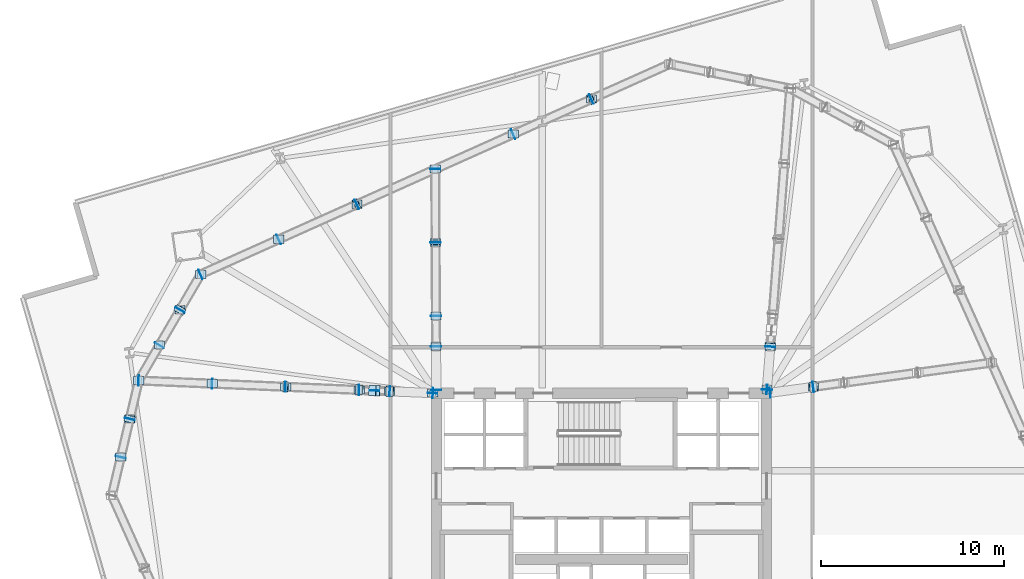
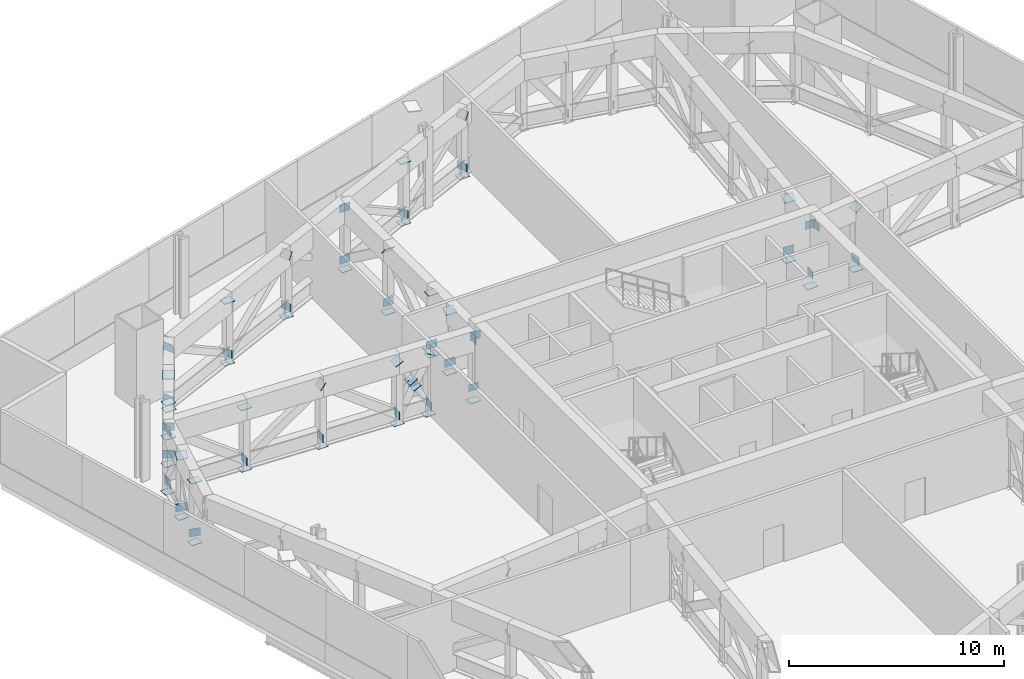
# One storey, part 10 of 19: 71 plates.
"""IFC4 building model written with IfcOpenShell, lengths in metres."""

from ifc_helpers import new_model, si_unit, direction, frame, origin, origin_2d, place, context, subcontext, project, spatial, rectangle, extrude, source, transform, mapped, material, layer, layer_set, type_object, element, save


model = new_model("IFC4")

# Units and contexts
model_context = context("Model", 3, precision=1e-05, world=origin(), true_north=direction((0.0, 1.0)))
body_context = subcontext(model_context, "Body", "Model", "MODEL_VIEW")
ifc_project = project(units=[si_unit("LENGTHUNIT", "METRE"), si_unit("AREAUNIT", "SQUARE_METRE"), si_unit("VOLUMEUNIT", "CUBIC_METRE"), si_unit("PLANEANGLEUNIT", "RADIAN"), si_unit("MASSUNIT", "GRAM", prefix="KILO")], contexts=[model_context])

# Site, building, storey
site_placement = place(None, origin())
site = spatial("IfcSite", under=ifc_project, at=site_placement, CompositionType="ELEMENT")
building_placement = place(site_placement, origin())
building = spatial("IfcBuilding", under=site, at=building_placement, Name="Haldenkirk Collegiate Tower", CompositionType="ELEMENT")
storey_placement = place(building_placement, frame((0.0, 0.0, 81.449951171875)))
storey = spatial("IfcBuildingStorey", under=building, at=storey_placement, Name="L19", CompositionType="ELEMENT", Elevation=81.449951171875)

# Plates
ifc_material = material(Name="Steel ASTM A572 Grade 50", Category="steel")
ifc_layer_1 = layer(ifc_material, 0.028076171875)
ifc_layer_set_1 = layer_set([ifc_layer_1], Name="Steel ASTM A572 Grade 50")
plate_type_1 = type_object("IfcPlateType", Name="PLT-CAP-INT-560X440", PredefinedType="USERDEFINED", material=ifc_layer_set_1)
shared_shape_1 = source(origin(), body_context, "Body", "SweptSolid", [
    extrude(rectangle(XDim=0.56005859375, YDim=0.43994140625, at=origin_2d()), origin(), (0.0, 0.0, 1.0), 0.028076171875),
])
for number, where, z_axis, x_axis, name in (
    (1, (45.015625, 34.202392578125, 3.489990234375), (-0.07690097957, -0.997038735126, 0.0), (0.997038735126, -0.07690097957, 0.0), "Outrigger Truss L19 Radial 03 top chord 1 end cap plate 1"),
    (2, (45.19677734375, 36.552978515625, 0.550048828125), (-0.076897997311, -0.997038965141, 0.0), (0.997038965141, -0.076897997311, 0.0), "Outrigger Truss L19 Radial 03 bottom chord 2 end plate 1"),
    (3, (45.19677734375, 36.551513671875, 3.487548828125), (-0.039442996416, -0.511537953522, 0.858354922011), (0.997040438701, -0.076878889137, -2.41354e-07), "Outrigger Truss L19 Radial 03 web diagonal 2 end cap plate 1"),
    (4, (45.015380859375, 34.199462890625, 0.0029296875), (0.0, 0.0, -1.0), (1.0, 0.0, 0.0), "Outrigger Truss L19 Radial 03 vertical post 1 end cap plate 1"),
    (5, (45.19677734375, 36.550048828125, 0.0029296875), (0.0, 0.0, -1.0), (1.0, 0.0, 0.0), "Outrigger Truss L19 Radial 03 vertical post 2 end cap plate 1"),
    (6, (26.79736328125, 34.008544921875, 3.489990234375), (0.999081473184, -0.042851020295, 0.0), (0.042851020295, 0.999081473184, 0.0), "Outrigger Truss L19 Radial 04 top chord 1 end cap plate 1"),
    (7, (24.447021484375, 34.109375, 0.550048828125), (0.999082202674, -0.042834008689, 0.0), (0.042834008689, 0.999082202674, 0.0), "Outrigger Truss L19 Radial 04 bottom chord 2 end plate 1"),
    (8, (22.799560546875, 34.180419921875, 0.550048828125), (-0.999082202674, 0.042834008689, 0.0), (-0.042834008689, -0.999082202674, 0.0), "Outrigger Truss L19 Radial 04 bottom chord 2 end plate 2"),
    (9, (24.448486328125, 34.109375, 3.487548828125), (0.490074202883, -0.0210150087, 0.871427360758), (0.042841973387, 0.999081861169, -3.6668e-08), "Outrigger Truss L19 Radial 04 web diagonal 2 end cap plate 1"),
    (10, (23.742431640625, 34.139892578125, 1.808349609375), (-0.490070076371, 0.021079003285, 0.871428135801), (-0.042972885025, -0.999076238909, -2.22307e-07), "Outrigger Truss L19 Radial 04 split X-brace diagonal 2A end cap plate 2"),
    (11, (23.504150390625, 34.14990234375, 2.231689453125), (0.490071120758, -0.021010005177, -0.871429214728), (0.042832008314, 0.999082288435, 7.191e-09), "Outrigger Truss L19 Radial 04 split X-brace diagonal 2B end cap plate 1"),
    (12, (22.798095703125, 34.18017578125, 3.487548828125), (-0.490071120758, 0.021010005177, 0.871429214728), (-0.042832008314, -0.999082288435, -7.191e-09), "Outrigger Truss L19 Radial 04 split X-brace diagonal 2B end cap plate 2"),
    (13, (18.7958984375, 34.351806640625, 0.550048828125), (-0.999082202674, 0.042834008689, 0.0), (-0.042834008689, -0.999082202674, 0.0), "Outrigger Truss L19 Radial 04 bottom chord 3 end plate 2"),
    (14, (18.79541015625, 34.351806640625, 3.48828125), (-0.805537710182, 0.034525987578, 0.591537787175), (-0.042821658787, -0.999082732079, -2.41689e-07), "Outrigger Truss L19 Radial 04 web diagonal 3 end cap plate 2"),
    (15, (14.792236328125, 34.523681640625, 0.550048828125), (-0.999082202674, 0.042834008689, 0.0), (-0.042834008689, -0.999082202674, 0.0), "Outrigger Truss L19 Radial 04 bottom chord 4 end plate 2"),
    (16, (10.78857421875, 34.6953125, 3.489990234375), (-0.999082717972, 0.042821987912, 0.0), (-0.042821987912, -0.999082717972, 0.0), "Outrigger Truss L19 Radial 04 top chord 5 end cap plate 2"),
    (17, (10.78857421875, 34.6953125, 0.550048828125), (-0.999082202674, 0.042834008689, 0.0), (-0.042834008689, -0.999082202674, 0.0), "Outrigger Truss L19 Radial 04 bottom chord 5 end plate 2"),
    (18, (26.80029296875, 34.008544921875, 0.0029296875), (0.0, 0.0, -1.0), (1.0, 0.0, 0.0), "Outrigger Truss L19 Radial 04 vertical post 1 end cap plate 1"),
    (19, (24.449951171875, 34.109375, 0.0029296875), (0.0, 0.0, -1.0), (1.0, 0.0, 0.0), "Outrigger Truss L19 Radial 04 vertical post 2 end cap plate 1"),
    (20, (22.796630859375, 34.180419921875, 0.0029296875), (0.0, 0.0, -1.0), (1.0, 0.0, 0.0), "Outrigger Truss L19 Radial 04 vertical post 3 end cap plate 1"),
    (21, (18.79296875, 34.351806640625, 0.0029296875), (0.0, 0.0, -1.0), (1.0, 0.0, 0.0), "Outrigger Truss L19 Radial 04 vertical post 4 end cap plate 1"),
    (22, (14.789306640625, 34.523681640625, 0.0029296875), (0.0, 0.0, -1.0), (1.0, 0.0, 0.0), "Outrigger Truss L19 Radial 04 vertical post 5 end cap plate 1"),
    (23, (14.789306640625, 34.523681640625, 3.48681640625), (0.0, 0.0, 1.0), (1.0, 0.0, 0.0), "Outrigger Truss L19 Radial 04 vertical post 5 end cap plate 2"),
    (24, (10.78564453125, 34.6953125, 0.0029296875), (0.0, 0.0, -1.0), (1.0, 0.0, 0.0), "Outrigger Truss L19 Radial 04 vertical post 6 end cap plate 1"),
    (25, (45.201171875, 34.02734375, 3.489990234375), (-0.990875270931, -0.134782036853, 0.0), (0.134782036853, -0.990875270931, 0.0), "Outrigger Truss L19 Radial 06 top chord 1 end cap plate 1"),
    (26, (47.552978515625, 34.347412109375, 0.550048828125), (-0.990873364768, -0.134796049622, 0.0), (0.134796049622, -0.990873364768, 0.0), "Outrigger Truss L19 Radial 06 bottom chord 2 end plate 1"),
    (27, (47.551513671875, 34.34716796875, 3.4873046875), (-0.4921740642, -0.066954008734, 0.867918113213), (0.134795122959, -0.990873490828, -3.32817e-07), "Outrigger Truss L19 Radial 06 web diagonal 2 end cap plate 1"),
    (28, (47.550048828125, 34.346923828125, 0.0029296875), (0.0, 0.0, -1.0), (1.0, 0.0, 0.0), "Outrigger Truss L19 Radial 06 vertical post 2 end cap plate 1"),
    (29, (26.9990234375, 34.202880859375, 3.489990234375), (0.005105999818, -0.999986964298, 0.0), (0.999986964298, 0.005105999818, 0.0), "Outrigger Truss L19 Radial 07 top chord 1 end cap plate 1"),
    (30, (26.987060546875, 36.552978515625, 0.550048828125), (0.005095000104, -0.999987020403, 0.0), (0.999987020403, 0.005095000104, 0.0), "Outrigger Truss L19 Radial 07 bottom chord 2 end plate 1"),
    (31, (26.978515625, 38.200927734375, 0.550048828125), (-0.005095000104, 0.999987020403, 0.0), (-0.999987020403, -0.005095000104, 0.0), "Outrigger Truss L19 Radial 07 bottom chord 2 end plate 2"),
    (32, (26.987060546875, 36.551513671875, 3.487548828125), (0.002489998893, -0.490270782067, 0.871566612576), (0.999987102089, 0.005078942283, 1.03524e-07), "Outrigger Truss L19 Radial 07 web diagonal 2 end cap plate 1"),
    (33, (26.9580078125, 42.20458984375, 0.550048828125), (-0.005095000104, 0.999987020403, 0.0), (-0.999987020403, -0.005095000104, 0.0), "Outrigger Truss L19 Radial 07 bottom chord 3 end plate 2"),
    (34, (26.958251953125, 42.205322265625, 3.48828125), (-0.004106997277, 0.80602546568, 0.591866607648), (-0.9999870194, -0.005095196886, -1.44498e-07), "Outrigger Truss L19 Radial 07 web diagonal 3 end cap plate 2"),
    (35, (26.937744140625, 46.20849609375, 3.489990234375), (-0.005095000104, 0.999987020403, 0.0), (-0.999987020403, -0.005095000104, 0.0), "Outrigger Truss L19 Radial 07 top chord 4 end cap plate 2"),
    (36, (26.937744140625, 46.20849609375, 0.550048828125), (-0.005095000104, 0.999987020403, 0.0), (-0.999987020403, -0.005095000104, 0.0), "Outrigger Truss L19 Radial 07 bottom chord 4 end plate 2"),
    (37, (26.987060546875, 36.550048828125, 0.0029296875), (0.0, 0.0, -1.0), (1.0, 0.0, 0.0), "Outrigger Truss L19 Radial 07 vertical post 2 end cap plate 1"),
    (38, (26.978515625, 38.203857421875, 0.0029296875), (0.0, 0.0, -1.0), (1.0, 0.0, 0.0), "Outrigger Truss L19 Radial 07 vertical post 3 end cap plate 1"),
    (39, (26.978515625, 38.203857421875, 3.48681640625), (0.0, 0.0, 1.0), (1.0, 0.0, 0.0), "Outrigger Truss L19 Radial 07 vertical post 3 end cap plate 2"),
    (40, (26.958251953125, 42.20751953125, 0.0029296875), (0.0, 0.0, -1.0), (1.0, 0.0, 0.0), "Outrigger Truss L19 Radial 07 vertical post 4 end cap plate 1"),
    (41, (26.937744140625, 46.21142578125, 0.0029296875), (0.0, 0.0, -1.0), (1.0, 0.0, 0.0), "Outrigger Truss L19 Radial 07 vertical post 5 end cap plate 1"),
    (42, (35.45947265625, 50.032470703125, 0.550048828125), (-0.912478829906, -0.409123923736, 0.0), (0.409123923736, -0.912478829906, 0.0), "Belt Truss L19-10 bottom chord 1 end plate 2"),
    (43, (35.458984375, 50.031982421875, 3.48828125), (-0.772105964206, -0.346183983951, 0.532924975294), (0.409122213628, -0.912479596658, -2.267e-07), "Belt Truss L19-10 web diagonal 1 end cap plate 2"),
    (44, (31.199951171875, 48.12255859375, 0.550048828125), (-0.912478829906, -0.409123923736, 0.0), (0.409123923736, -0.912478829906, 0.0), "Belt Truss L19-10 bottom chord 2 end plate 2"),
    (45, (35.456787109375, 50.031005859375, 0.0029296875), (0.0, 0.0, -1.0), (1.0, 0.0, 0.0), "Belt Truss L19-10 vertical post 2 end cap plate 1"),
    (46, (31.197265625, 48.12109375, 0.0029296875), (0.0, 0.0, -1.0), (1.0, 0.0, 0.0), "Belt Truss L19-10 vertical post 3 end cap plate 1"),
    (47, (31.197265625, 48.12109375, 3.48681640625), (0.0, 0.0, 1.0), (1.0, 0.0, 0.0), "Belt Truss L19-10 vertical post 3 end cap plate 2"),
    (48, (22.68115234375, 44.302978515625, 0.550048828125), (-0.912477375184, -0.409127168221, 0.0), (0.409127168221, -0.912477375184, 0.0), "Belt Truss L19-11 bottom chord 1 end plate 2"),
    (49, (22.6806640625, 44.302734375, 3.48828125), (-0.772099187709, -0.346188084164, 0.532932129564), (0.409129558843, -0.912476303298, 3.31687e-07), "Belt Truss L19-11 web diagonal 1 end cap plate 2"),
    (50, (18.421630859375, 42.39306640625, 0.550048828125), (-0.912477375184, -0.409127168221, 0.0), (0.409127168221, -0.912477375184, 0.0), "Belt Truss L19-11 bottom chord 2 end plate 2"),
    (51, (14.162109375, 40.4833984375, 3.489990234375), (-0.912476087837, -0.409130039384, 0.0), (0.409130039384, -0.912476087837, 0.0), "Belt Truss L19-11 top chord 3 end cap plate 2"),
    (52, (14.162109375, 40.4833984375, 0.550048828125), (-0.912477375184, -0.409127168221, 0.0), (0.409127168221, -0.912477375184, 0.0), "Belt Truss L19-11 bottom chord 3 end plate 2"),
    (53, (22.678466796875, 44.301513671875, 0.0029296875), (0.0, 0.0, -1.0), (1.0, 0.0, 0.0), "Belt Truss L19-11 vertical post 2 end cap plate 1"),
    (54, (18.4189453125, 42.391845703125, 0.0029296875), (0.0, 0.0, -1.0), (1.0, 0.0, 0.0), "Belt Truss L19-11 vertical post 3 end cap plate 1"),
    (55, (18.4189453125, 42.391845703125, 3.48681640625), (0.0, 0.0, 1.0), (1.0, 0.0, 0.0), "Belt Truss L19-11 vertical post 3 end cap plate 2"),
    (56, (14.159423828125, 40.48193359375, 0.0029296875), (0.0, 0.0, -1.0), (1.0, 0.0, 0.0), "Belt Truss L19-11 vertical post 4 end cap plate 1"),
    (57, (13.036376953125, 38.555908203125, 0.550048828125), (-0.503666949308, -0.863897913052, 0.0), (0.863897913052, -0.503666949308, 0.0), "Belt Truss L19-12 bottom chord 1 end plate 2"),
    (58, (13.035888671875, 38.5546875, 3.487548828125), (-0.304626065553, -0.522490112435, 0.796371171372), (0.863894145079, -0.503673412141, 3.72602e-07), "Belt Truss L19-12 web diagonal 1 end cap plate 2"),
    (59, (11.911865234375, 36.626708984375, 0.550048828125), (-0.503666949308, -0.863897913052, 0.0), (0.863897913052, -0.503666949308, 0.0), "Belt Truss L19-12 bottom chord 2 end plate 2"),
    (60, (13.034912109375, 38.552978515625, 0.0029296875), (0.0, 0.0, -1.0), (1.0, 0.0, 0.0), "Belt Truss L19-12 vertical post 2 end cap plate 1"),
    (61, (11.910400390625, 36.6240234375, 0.0029296875), (0.0, 0.0, -1.0), (1.0, 0.0, 0.0), "Belt Truss L19-12 vertical post 3 end cap plate 1"),
    (62, (11.910400390625, 36.6240234375, 3.48681640625), (0.0, 0.0, 1.0), (1.0, 0.0, 0.0), "Belt Truss L19-12 vertical post 3 end cap plate 2"),
    (63, (10.297119140625, 32.612060546875, 0.550048828125), (-0.22836607872, -0.973575335601, 0.0), (0.973575335601, -0.22836607872, 0.0), "Belt Truss L19-13 bottom chord 1 end plate 2"),
    (64, (10.296875, 32.61083984375, 3.48779296875), (-0.134498006441, -0.573424027459, 0.808143038698), (0.973577930062, -0.22835501767, 4.5518e-08), "Belt Truss L19-13 web diagonal 1 end cap plate 2"),
    (65, (9.8076171875, 30.52587890625, 0.550048828125), (-0.22836607872, -0.973575335601, 0.0), (0.973575335601, -0.22836607872, 0.0), "Belt Truss L19-13 bottom chord 2 end plate 2"),
    (66, (10.29638671875, 32.609130859375, 0.0029296875), (0.0, 0.0, -1.0), (1.0, 0.0, 0.0), "Belt Truss L19-13 vertical post 2 end cap plate 1"),
    (67, (9.806884765625, 30.52294921875, 0.0029296875), (0.0, 0.0, -1.0), (1.0, 0.0, 0.0), "Belt Truss L19-13 vertical post 3 end cap plate 1"),
    (68, (9.806884765625, 30.52294921875, 3.48681640625), (0.0, 0.0, 1.0), (1.0, 0.0, 0.0), "Belt Truss L19-13 vertical post 3 end cap plate 2"),
):
    element("IfcPlate", number, at=place(storey_placement, frame(where, z_axis=z_axis, x_axis=x_axis)), inside=storey, type_object=plate_type_1, Name=name, ObjectType="END CAP PLATE", PredefinedType="USERDEFINED", context=body_context, shape_type="MappedRepresentation", body=[
        mapped(shared_shape_1, transform((0.0, 0.0, 0.0), x_axis=(1.0, 0.0, 0.0), y_axis=(0.0, 1.0, 0.0), z_axis=(0.0, 0.0, 1.0), scale=1.0)),
    ])
ifc_layer_2 = layer(ifc_material, 0.031982421875)
ifc_layer_set_2 = layer_set([ifc_layer_2], Name="Steel ASTM A572 Grade 50")
plate_type_2 = type_object("IfcPlateType", Name="PLT-GUSSET-INT-520X380", PredefinedType="USERDEFINED", material=ifc_layer_set_2)
shared_shape_2 = source(origin(), body_context, "Body", "SweptSolid", [
    extrude(rectangle(XDim=0.52001953125, YDim=0.031982421875, at=origin_2d()), origin(), (0.0, 0.0, 1.0), 0.3798828125),
])
for number, where, z_axis, x_axis, name in (
    (69, (45.015380859375, 34.199462890625, 0.550048828125), (0.0, 0.0, 1.0), (0.076897668021, 0.997038990538, 0.0), "Outrigger Truss L19 Radial 03 bottom node gusset plate 1"),
    (70, (23.623291015625, 34.14501953125, 1.830078125), (0.0, 0.0, 1.0), (-0.999082190359, 0.042834295914, 0.0), "Outrigger Truss L19 Radial 04 X-brace crossing gusset plate 2"),
    (71, (26.80029296875, 34.008544921875, 0.550048828125), (0.0, 0.0, 1.0), (-0.999082190359, 0.042834295914, 0.0), "Outrigger Truss L19 Radial 04 bottom node gusset plate 1"),
):
    element("IfcPlate", number, at=place(storey_placement, frame(where, z_axis=z_axis, x_axis=x_axis)), inside=storey, type_object=plate_type_2, Name=name, ObjectType="GUSSET PLATE", PredefinedType="USERDEFINED", context=body_context, shape_type="MappedRepresentation", body=[
        mapped(shared_shape_2, transform((0.0, 0.0, 0.0), x_axis=(1.0, 0.0, 0.0), y_axis=(0.0, 1.0, 0.0), z_axis=(0.0, 0.0, 1.0), scale=1.0)),
    ])

save(model, "model.ifc")
